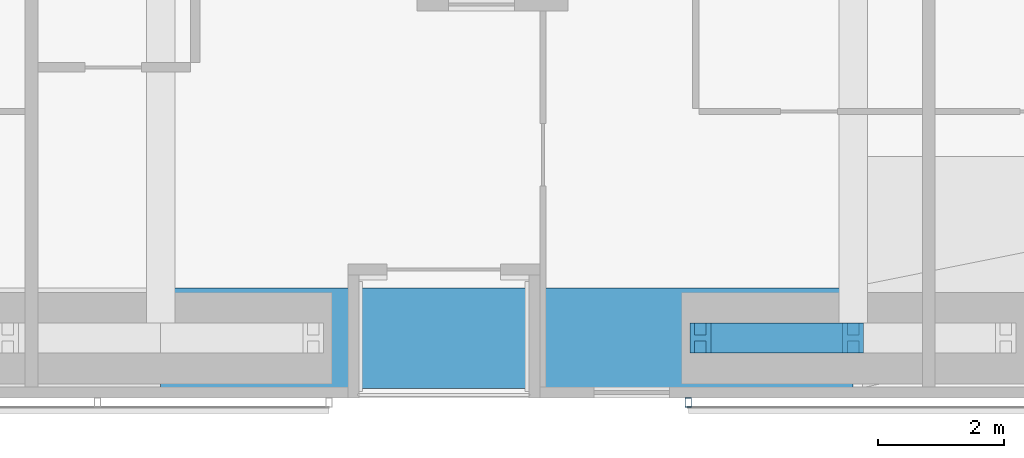
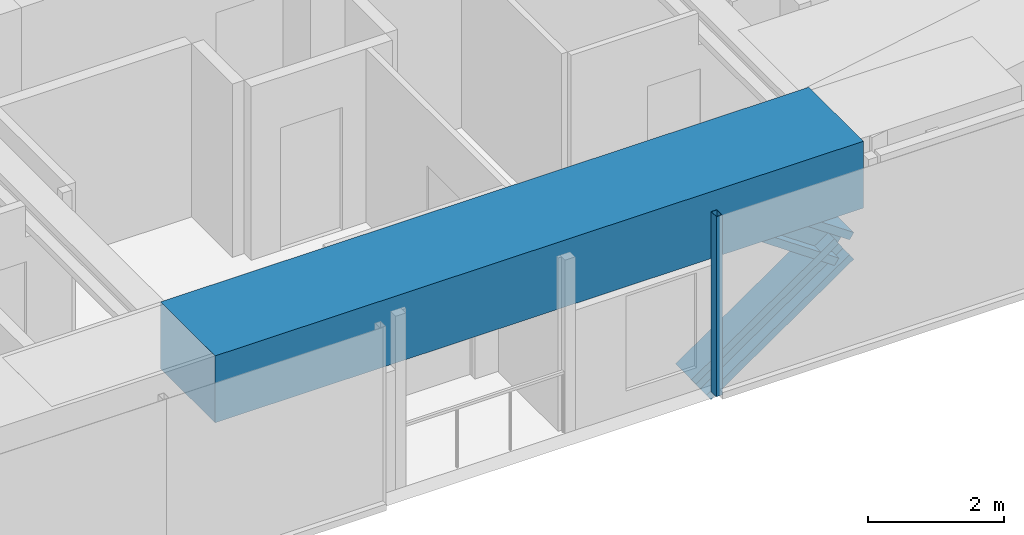
# One storey, part 5 of 23: 3 members, 1 beam, 1 element without a shape of its own.
"""IFC4 building model written with IfcOpenShell, lengths in metres."""

from ifc_helpers import new_model, si_unit, direction, frame, origin, origin_2d, place, context, subcontext, project, spatial, rectangle, hollow_rectangle, i_section, extrude, material, material_profile, profile_set, type_object, element, aggregate, save


model = new_model("IFC4")

# Units and contexts
model_context = context("Model", 3, precision=1e-05, world=origin(), true_north=direction((0.0, 1.0)))
body_context = subcontext(model_context, "Body", "Model", "MODEL_VIEW")
ifc_project = project(units=[si_unit("LENGTHUNIT", "METRE"), si_unit("AREAUNIT", "SQUARE_METRE"), si_unit("VOLUMEUNIT", "CUBIC_METRE"), si_unit("PLANEANGLEUNIT", "RADIAN"), si_unit("MASSUNIT", "GRAM", prefix="KILO")], contexts=[model_context])

# Site, building, storey
site_placement = place(None, origin())
site = spatial("IfcSite", under=ifc_project, at=site_placement, CompositionType="ELEMENT")
building_placement = place(site_placement, origin())
building = spatial("IfcBuilding", under=site, at=building_placement, Name="Jalousie Tower", CompositionType="ELEMENT")
storey_placement = place(building_placement, frame((0.0, 0.0, 37.75)))
storey = spatial("IfcBuildingStorey", under=building, at=storey_placement, Name="L09", CompositionType="ELEMENT", Elevation=37.75)

# Members
ifc_material_1 = material(Name="Steel ASTM A992 Grade 50", Category="steel")
ifc_material_profile_1 = material_profile(ifc_material_1, i_section(OverallWidth=0.472412109375, OverallDepth=0.5791015625, WebThickness=0.094970703125, FlangeThickness=0.1298828125, at=origin_2d()), Name="W14X808")
ifc_profile_set_1 = profile_set([ifc_material_profile_1], Name="Steel ASTM A992 Grade 50")
member_type_1 = type_object("IfcMemberType", Name="PERIMETER BRACE W14X808", PredefinedType="BRACE", material=ifc_profile_set_1)
for number, where, z_axis, x_axis, name in (
    (1, (32.574951171875, 0.949951171875, -0.60009765625), (0.822800062329, 0.0, 0.568330940062), (0.0, 1.0, 0.0), "Perimeter brace 04 L09 part 1"),
    (2, (35.0, 0.949951171875, 1.074951171875), (-0.822800062329, 0.0, 0.568330940062), (0.0, -1.0, 0.0), "Perimeter brace 04 L09 part 4"),
):
    element("IfcMember", number, at=place(storey_placement, frame(where, z_axis=z_axis, x_axis=x_axis)), inside=storey, type_object=member_type_1, Name=name, PredefinedType="BRACE", context=body_context, shape_type="SweptSolid", body=[
        extrude(i_section(OverallWidth=0.472412109375, OverallDepth=0.5791015625, WebThickness=0.094970703125, FlangeThickness=0.1298828125, at=origin_2d()), origin(), (0.0, 0.0, 1.0), 2.947265625),
    ])

# Beam
ifc_material_2 = material(Name="Concrete f'c 40 MPa", Category="concrete")
ifc_material_profile_2 = material_profile(ifc_material_2, rectangle(XDim=1.60009765625, YDim=1.199951171875, at=origin_2d()), Name="RC 1600x1200")
ifc_profile_set_2 = profile_set([ifc_material_profile_2], Name="Concrete f'c 40 MPa")
beam_type = type_object("IfcBeamType", Name="RC BEAM 1600x1200", PredefinedType="BEAM", material=ifc_profile_set_2)
beam_placement = place(storey_placement, frame((24.0, 0.949951171875, 2.75), z_axis=(1.0, 0.0, 0.0), x_axis=(0.0, 1.0, 0.0)))
element("IfcBeam", 3, at=beam_placement, inside=storey, type_object=beam_type, Name="Edge band beam 03-04 under L10", PredefinedType="BEAM", context=body_context, shape_type="SweptSolid", body=[
    extrude(rectangle(XDim=1.60009765625, YDim=1.199951171875, at=origin_2d()), origin(), (0.0, 0.0, 1.0), 11.0),
])

# Curtain wall, member
ifc_material_3 = material(Name="Perforated aluminium sheet", Category="aluminium")
curtain_wall_type = type_object("IfcCurtainWallType", Name="SOLAR SCREEN SS-1", PredefinedType="USERDEFINED", material=ifc_material_3)
curtain_wall_placement = place(storey_placement, origin())
curtain_wall = element("IfcCurtainWall", 4, at=curtain_wall_placement, inside=storey, type_object=curtain_wall_type, Name="Solar screen L09", ObjectType="SOLAR SCREEN SS-1", PredefinedType="USERDEFINED")
ifc_material_4 = material(Name="Steel ASTM A500 Grade C", Category="steel")
ifc_material_profile_3 = material_profile(ifc_material_4, hollow_rectangle(XDim=0.1015625, YDim=0.15234375, WallThickness=0.00634765625, at=origin_2d()), Name="HSS6X4X1/4")
ifc_profile_set_3 = profile_set([ifc_material_profile_3], Name="Steel ASTM A500 Grade C")
member_type_2 = type_object("IfcMemberType", Name="SOLAR SCREEN SS-1 MULLION", PredefinedType="MULLION", material=ifc_profile_set_3)
member_placement = place(storey_placement, frame((32.382568359375, -0.0712890625, -0.1201171875), z_axis=(0.0, 0.0, 1.0), x_axis=(1.0, 0.0, 0.0)))
member = element("IfcMember", 5, at=member_placement, type_object=member_type_2, Name="SS1 post 1", PredefinedType="MULLION", context=body_context, shape_type="SweptSolid", body=[
    extrude(hollow_rectangle(XDim=0.1015625, YDim=0.15234375, WallThickness=0.00634765625, at=origin_2d()), origin(), (0.0, 0.0, 1.0), 3.230224609375),
])
aggregate(curtain_wall, [member])

save(model, "model.ifc")
